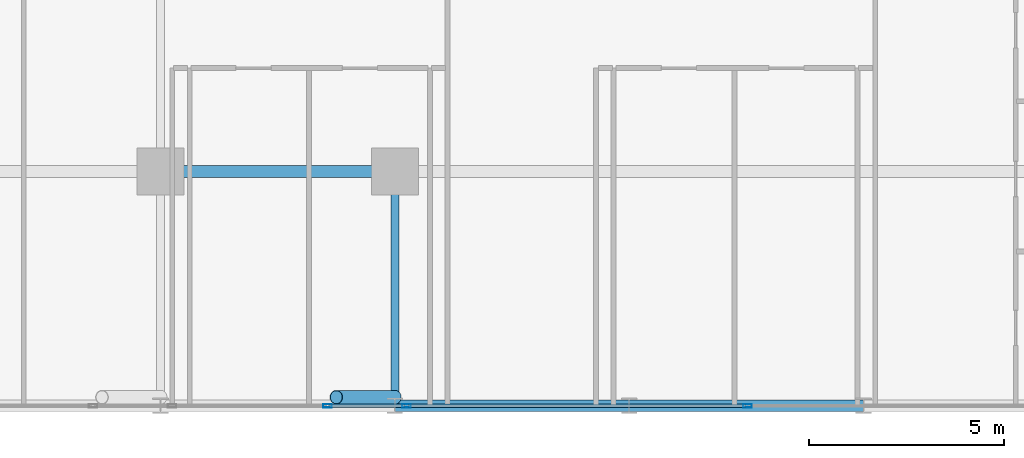
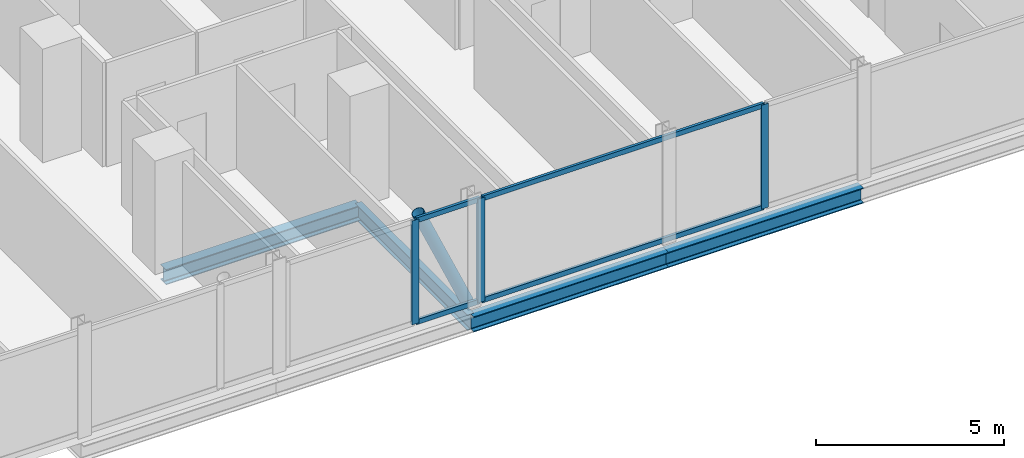
# One storey, part 8 of 33: 8 members, 4 beams, 2 elements without a shape of their own.
"""IFC4 building model written with IfcOpenShell, lengths in metres."""

from ifc_helpers import new_model, si_unit, direction, frame, origin, origin_2d, place, context, subcontext, project, spatial, hollow_rectangle, hollow_circle, i_section, extrude, material, layer, layer_set, material_profile, profile_set, type_object, element, aggregate, save


model = new_model("IFC4")

# Units and contexts
model_context = context("Model", 3, precision=1e-05, world=origin(), true_north=direction((0.0, 1.0)))
body_context = subcontext(model_context, "Body", "Model", "MODEL_VIEW")
ifc_project = project(units=[si_unit("LENGTHUNIT", "METRE"), si_unit("AREAUNIT", "SQUARE_METRE"), si_unit("VOLUMEUNIT", "CUBIC_METRE"), si_unit("PLANEANGLEUNIT", "RADIAN"), si_unit("MASSUNIT", "GRAM", prefix="KILO")], contexts=[model_context])

# Site, building, storey
site_placement = place(None, origin())
site = spatial("IfcSite", under=ifc_project, at=site_placement, CompositionType="ELEMENT")
building_placement = place(site_placement, origin())
building = spatial("IfcBuilding", under=site, at=building_placement, Name="Keshet Zoharim Tower", CompositionType="ELEMENT")
storey_placement = place(building_placement, frame((0.0, 0.0, 73.800048828125)))
storey = spatial("IfcBuildingStorey", under=building, at=storey_placement, Name="L17", CompositionType="ELEMENT", Elevation=73.800048828125)

# Beams
ifc_material_1 = material(Name="Steel S355", Category="steel")
ifc_material_profile_1 = material_profile(ifc_material_1, i_section(OverallWidth=0.199951171875, OverallDepth=0.5, WebThickness=0.01025390625, FlangeThickness=0.01611328125, FilletRadius=0.02099609375, at=origin_2d()), Name="IPE500")
ifc_profile_set_1 = profile_set([ifc_material_profile_1], Name="Steel S355")
beam_type_1 = type_object("IfcBeamType", Name="BM-PRI-IP500", PredefinedType="BEAM", material=ifc_profile_set_1)
beam_placement = place(storey_placement, frame((39.0, 0.699951171875, -0.56494140625), z_axis=(0.0, 1.0, 0.0), x_axis=(-1.0, 0.0, 0.0)))
element("IfcBeam", 1, at=beam_placement, inside=storey, type_object=beam_type_1, Name="L17 Primary Girder Y-012", PredefinedType="BEAM", context=body_context, shape_type="SweptSolid", body=[
    extrude(i_section(OverallWidth=0.199951171875, OverallDepth=0.5, WebThickness=0.01025390625, FlangeThickness=0.01611328125, FilletRadius=0.02099609375, at=origin_2d()), origin(), (0.0, 0.0, 1.0), 6.0),
])
ifc_material_profile_2 = material_profile(ifc_material_1, i_section(OverallWidth=0.300048828125, OverallDepth=0.5, WebThickness=0.014404296875, FlangeThickness=0.028076171875, FilletRadius=0.027099609375, at=origin_2d()), Name="HEB500")
ifc_profile_set_2 = profile_set([ifc_material_profile_2], Name="Steel S355")
beam_type_2 = type_object("IfcBeamType", Name="BM-WEB-HB500", PredefinedType="BEAM", material=ifc_profile_set_2)
for number, where, z_axis, x_axis, name in (
    (2, (39.0, 0.699951171875, -0.56494140625), (1.0, 0.0, 0.0), (0.0, 1.0, 0.0), "L17 Primary Girder X-003"),
    (3, (45.0, 0.699951171875, -0.56494140625), (1.0, 0.0, 0.0), (0.0, 1.0, 0.0), "L17 Primary Girder X-004"),
    (4, (33.0, 6.699951171875, -0.56494140625), (1.0, 0.0, 0.0), (0.0, 1.0, 0.0), "L17 Primary Girder X-008"),
):
    element("IfcBeam", number, at=place(storey_placement, frame(where, z_axis=z_axis, x_axis=x_axis)), inside=storey, type_object=beam_type_2, Name=name, PredefinedType="BEAM", context=body_context, shape_type="SweptSolid", body=[
        extrude(i_section(OverallWidth=0.300048828125, OverallDepth=0.5, WebThickness=0.014404296875, FlangeThickness=0.028076171875, FilletRadius=0.027099609375, at=origin_2d()), origin(), (0.0, 0.0, 1.0), 6.0),
    ])

# Curtain wall, members
ifc_material_2 = material(Name="Aluminium 6063-T6", Category="aluminium")
ifc_layer = layer(ifc_material_2, 0.179931640625)
ifc_layer_set = layer_set([ifc_layer], Name="Aluminium 6063-T6")
curtain_wall_type = type_object("IfcCurtainWallType", Name="CW-SYS-01", PredefinedType="NOTDEFINED", material=ifc_layer_set)
curtain_wall_1_placement = place(storey_placement, origin())
curtain_wall_1 = element("IfcCurtainWall", 5, at=curtain_wall_1_placement, inside=storey, type_object=curtain_wall_type, Name="L17 Unitised Curtain Wall 26", PredefinedType="NOTDEFINED")
ifc_material_profile_3 = material_profile(ifc_material_2, hollow_rectangle(XDim=0.090087890625, YDim=0.219970703125, WallThickness=0.0048828125, at=origin_2d()), Name="MUL-90x220")
ifc_profile_set_3 = profile_set([ifc_material_profile_3], Name="Aluminium 6063-T6")
member_type_1 = type_object("IfcMemberType", Name="CWM-M22", PredefinedType="MULLION", material=ifc_profile_set_3)
member_1_placement = place(storey_placement, frame((48.03271484375, 0.699951171875, 0.0), z_axis=(0.0, 0.0, 1.0), x_axis=(0.0, -1.0, 0.0)))
member_1 = element("IfcMember", 6, at=member_1_placement, type_object=member_type_1, Name="CW-01 mullion 2", PredefinedType="MULLION", context=body_context, shape_type="SweptSolid", body=[
    extrude(hollow_rectangle(XDim=0.090087890625, YDim=0.219970703125, WallThickness=0.0048828125, at=origin_2d()), origin(), (0.0, 0.0, 1.0), 3.385009765625),
])
member_2_placement = place(storey_placement, frame((39.297607421875, 0.699951171875, 0.0), z_axis=(0.0, 0.0, 1.0), x_axis=(0.0, -1.0, 0.0)))
member_2 = element("IfcMember", 7, at=member_2_placement, type_object=member_type_1, Name="CW-01 mullion 3", PredefinedType="MULLION", context=body_context, shape_type="SweptSolid", body=[
    extrude(hollow_rectangle(XDim=0.090087890625, YDim=0.219970703125, WallThickness=0.0048828125, at=origin_2d()), origin(), (0.0, 0.0, 1.0), 3.385009765625),
])

# Curtain wall, member
curtain_wall_2_placement = place(storey_placement, origin())
curtain_wall_2 = element("IfcCurtainWall", 8, at=curtain_wall_2_placement, inside=storey, type_object=curtain_wall_type, Name="L17 Unitised Curtain Wall 26 Part 2", PredefinedType="NOTDEFINED")
member_3_placement = place(storey_placement, frame((37.2724609375, 0.699951171875, 0.0), z_axis=(0.0, 0.0, 1.0), x_axis=(0.0, -1.0, 0.0)))
member_3 = element("IfcMember", 9, at=member_3_placement, type_object=member_type_1, Name="CW-01 mullion 2", PredefinedType="MULLION", context=body_context, shape_type="SweptSolid", body=[
    extrude(hollow_rectangle(XDim=0.090087890625, YDim=0.219970703125, WallThickness=0.0048828125, at=origin_2d()), origin(), (0.0, 0.0, 1.0), 3.385009765625),
])

# Member
ifc_material_profile_4 = material_profile(ifc_material_2, hollow_rectangle(XDim=0.0849609375, YDim=0.159912109375, WallThickness=0.00439453125, at=origin_2d()), Name="TRN-85x160")
ifc_profile_set_4 = profile_set([ifc_material_profile_4], Name="Aluminium 6063-T6")
member_type_2 = type_object("IfcMemberType", Name="CWT-T16", PredefinedType="USERDEFINED", material=ifc_profile_set_4)
member_4_placement = place(storey_placement, frame((47.997802734375, 0.699951171875, 0.034912109375), z_axis=(-1.0, 0.0, 0.0), x_axis=(0.0, -1.0, 0.0)))
member_4 = element("IfcMember", 10, at=member_4_placement, type_object=member_type_2, Name="CW-01 transom 2.1", ObjectType="TRANSOM", PredefinedType="USERDEFINED", context=body_context, shape_type="SweptSolid", body=[
    extrude(hollow_rectangle(XDim=0.0849609375, YDim=0.159912109375, WallThickness=0.00439453125, at=origin_2d()), origin(), (0.0, 0.0, 1.0), 8.665283203125),
])

member_5_placement = place(storey_placement, frame((47.997802734375, 0.699951171875, 3.349853515625), z_axis=(-1.0, 0.0, 0.0), x_axis=(0.0, -1.0, 0.0)))
member_5 = element("IfcMember", 11, at=member_5_placement, type_object=member_type_2, Name="CW-01 transom 2.2", ObjectType="TRANSOM", PredefinedType="USERDEFINED", context=body_context, shape_type="SweptSolid", body=[
    extrude(hollow_rectangle(XDim=0.0849609375, YDim=0.159912109375, WallThickness=0.00439453125, at=origin_2d()), origin(), (0.0, 0.0, 1.0), 8.665283203125),
])

aggregate(curtain_wall_1, [member_1, member_2, member_4, member_5])

member_6_placement = place(storey_placement, frame((39.2626953125, 0.699951171875, 0.034912109375), z_axis=(-1.0, 0.0, 0.0), x_axis=(0.0, -1.0, 0.0)))
member_6 = element("IfcMember", 12, at=member_6_placement, type_object=member_type_2, Name="CW-01 transom 1.1", ObjectType="TRANSOM", PredefinedType="USERDEFINED", context=body_context, shape_type="SweptSolid", body=[
    extrude(hollow_rectangle(XDim=0.0849609375, YDim=0.159912109375, WallThickness=0.00439453125, at=origin_2d()), origin(), (0.0, 0.0, 1.0), 1.955322265625),
])

member_7_placement = place(storey_placement, frame((39.2626953125, 0.699951171875, 3.349853515625), z_axis=(-1.0, 0.0, 0.0), x_axis=(0.0, -1.0, 0.0)))
member_7 = element("IfcMember", 13, at=member_7_placement, type_object=member_type_2, Name="CW-01 transom 1.2", ObjectType="TRANSOM", PredefinedType="USERDEFINED", context=body_context, shape_type="SweptSolid", body=[
    extrude(hollow_rectangle(XDim=0.0849609375, YDim=0.159912109375, WallThickness=0.00439453125, at=origin_2d()), origin(), (0.0, 0.0, 1.0), 1.955322265625),
])

aggregate(curtain_wall_2, [member_3, member_6, member_7])

ifc_material_profile_5 = material_profile(ifc_material_1, hollow_circle(Radius=0.177734375, WallThickness=0.012451171875, at=origin_2d()), Name="CHS355x12.5")
ifc_profile_set_5 = profile_set([ifc_material_profile_5], Name="Steel S355")
member_type_3 = type_object("IfcMemberType", Name="MB-BR-C355", PredefinedType="BRACE", material=ifc_profile_set_5)
member_8_placement = place(storey_placement, frame((39.0, 0.919921875, 0.0), z_axis=(-0.405134846829, 0.0, 0.91425694194), x_axis=(0.0, -1.0, 0.0)))
element("IfcMember", 14, at=member_8_placement, inside=storey, type_object=member_type_3, Name="L17 Perimeter Tube Brace 03", PredefinedType="BRACE", context=body_context, shape_type="SweptSolid", body=[
    extrude(hollow_circle(Radius=0.177734375, WallThickness=0.012451171875, at=origin_2d()), origin(), (0.0, 0.0, 1.0), 3.702392578125),
])

save(model, "model.ifc")
